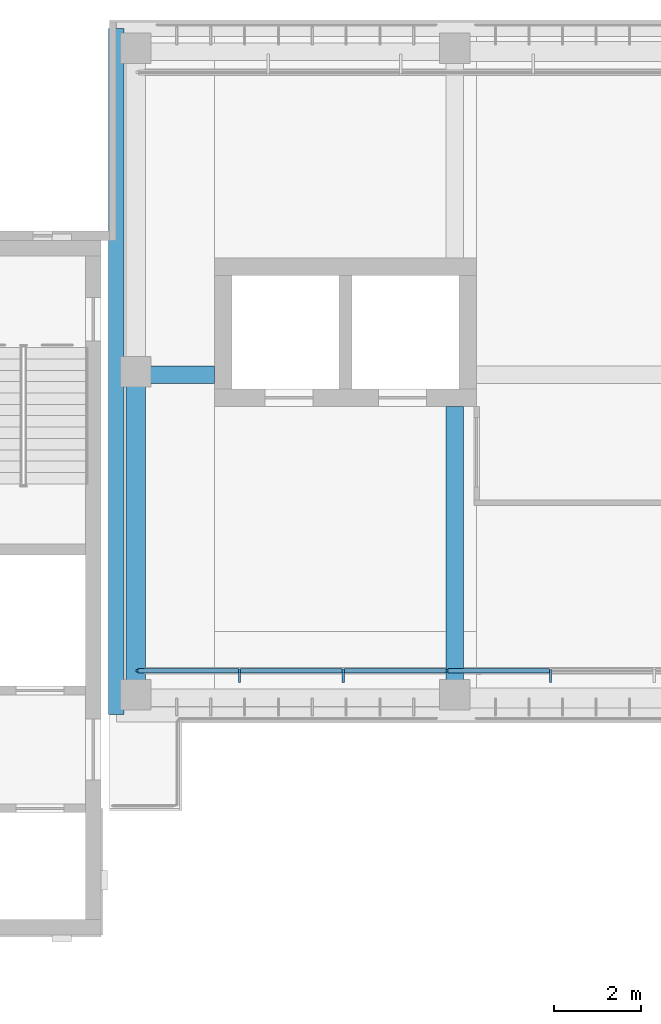
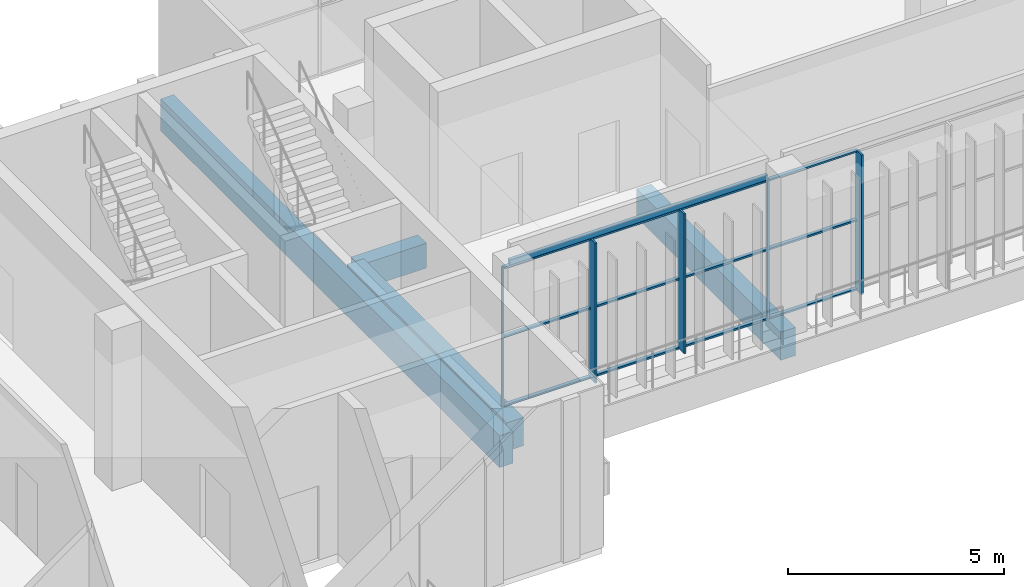
# One storey, part 19 of 73: 17 members, 5 beams, 1 element without a shape of its own.
"""IFC4 building model written with IfcOpenShell, lengths in metres."""

from ifc_helpers import new_model, si_unit, direction, frame, origin, origin_2d, place, context, subcontext, project, spatial, rectangle, hollow_rectangle, extrude, material, material_profile, profile_set, type_object, element, aggregate, save


model = new_model("IFC4")

# Units and contexts
model_context = context("Model", 3, precision=1e-05, world=origin(), true_north=direction((0.0, 1.0)))
body_context = subcontext(model_context, "Body", "Model", "MODEL_VIEW")
ifc_project = project(units=[si_unit("LENGTHUNIT", "METRE"), si_unit("AREAUNIT", "SQUARE_METRE"), si_unit("VOLUMEUNIT", "CUBIC_METRE"), si_unit("PLANEANGLEUNIT", "RADIAN"), si_unit("MASSUNIT", "GRAM", prefix="KILO")], contexts=[model_context])

# Site, building, storey
site_placement = place(None, origin())
site = spatial("IfcSite", under=ifc_project, at=site_placement, CompositionType="ELEMENT")
building_placement = place(site_placement, origin())
building = spatial("IfcBuilding", under=site, at=building_placement, Name="Lantern Court Media Centre", CompositionType="ELEMENT")
storey_placement = place(building_placement, frame((0.0, 0.0, 24.0)))
storey = spatial("IfcBuildingStorey", under=building, at=storey_placement, Name="L05", CompositionType="ELEMENT", Elevation=24.0)

# Curtain wall, members
ifc_material_1 = material(Name="Curtain wall bay 2400")
curtain_wall_type = type_object("IfcCurtainWallType", Name="Curtain wall bay 2400", PredefinedType="NOTDEFINED", material=ifc_material_1)
curtain_wall_placement = place(storey_placement, origin())
curtain_wall = element("IfcCurtainWall", 1, at=curtain_wall_placement, inside=storey, type_object=curtain_wall_type, Name="Curtain wall N inner L05", PredefinedType="NOTDEFINED")
ifc_material_2 = material(Name="Anodised aluminium", Category="aluminium")
ifc_material_profile_1 = material_profile(ifc_material_2, rectangle(XDim=0.300048828125, YDim=0.050048828125, at=origin_2d()), Name="AL 50x300")
ifc_profile_set_1 = profile_set([ifc_material_profile_1], Name="Anodised aluminium")
member_type_1 = type_object("IfcMemberType", Name="Curtain wall mullion 50x300", PredefinedType="MULLION", material=ifc_profile_set_1)
member_1_placement = place(storey_placement, frame((27.073974609375, 102.030029296875, 0.0), z_axis=(0.0, 0.0, 1.0), x_axis=(0.0, 1.0, 0.0)))
member_1 = element("IfcMember", 2, at=member_1_placement, type_object=member_type_1, Name="CW2 mullion 2", PredefinedType="MULLION", context=body_context, shape_type="SweptSolid", body=[
    extrude(rectangle(XDim=0.300048828125, YDim=0.050048828125, at=origin_2d()), origin(), (0.0, 0.0, 1.0), 3.949951171875),
])
member_2_placement = place(storey_placement, frame((29.44775390625, 102.030029296875, 0.0), z_axis=(0.0, 0.0, 1.0), x_axis=(0.0, 1.0, 0.0)))
member_2 = element("IfcMember", 3, at=member_2_placement, type_object=member_type_1, Name="CW2 mullion 3", PredefinedType="MULLION", context=body_context, shape_type="SweptSolid", body=[
    extrude(rectangle(XDim=0.300048828125, YDim=0.050048828125, at=origin_2d()), origin(), (0.0, 0.0, 1.0), 3.949951171875),
])
member_3_placement = place(storey_placement, frame((34.195556640625, 102.030029296875, 0.0), z_axis=(0.0, 0.0, 1.0), x_axis=(0.0, 1.0, 0.0)))
member_3 = element("IfcMember", 4, at=member_3_placement, type_object=member_type_1, Name="CW2 mullion 5", PredefinedType="MULLION", context=body_context, shape_type="SweptSolid", body=[
    extrude(rectangle(XDim=0.300048828125, YDim=0.050048828125, at=origin_2d()), origin(), (0.0, 0.0, 1.0), 3.949951171875),
])
ifc_material_profile_2 = material_profile(ifc_material_2, rectangle(XDim=0.06005859375, YDim=0.050048828125, at=origin_2d()), Name="AL 50x60")
ifc_profile_set_2 = profile_set([ifc_material_profile_2], Name="Anodised aluminium")
member_type_2 = type_object("IfcMemberType", Name="Curtain wall mullion 50x60", PredefinedType="MULLION", material=ifc_profile_set_2)
member_4_placement = place(storey_placement, frame((24.72509765625, 102.14990234375, 0.0), z_axis=(0.0, 0.0, 1.0), x_axis=(0.0, 1.0, 0.0)))
member_4 = element("IfcMember", 5, at=member_4_placement, type_object=member_type_2, Name="CW2 mullion 1", PredefinedType="MULLION", context=body_context, shape_type="SweptSolid", body=[
    extrude(rectangle(XDim=0.06005859375, YDim=0.050048828125, at=origin_2d()), origin(), (0.0, 0.0, 1.0), 3.949951171875),
])
member_5_placement = place(storey_placement, frame((31.82177734375, 102.14990234375, 0.0), z_axis=(0.0, 0.0, 1.0), x_axis=(0.0, 1.0, 0.0)))
member_5 = element("IfcMember", 6, at=member_5_placement, type_object=member_type_2, Name="CW2 mullion 4", PredefinedType="MULLION", context=body_context, shape_type="SweptSolid", body=[
    extrude(rectangle(XDim=0.06005859375, YDim=0.050048828125, at=origin_2d()), origin(), (0.0, 0.0, 1.0), 3.949951171875),
])
ifc_material_profile_3 = material_profile(ifc_material_2, rectangle(XDim=0.10009765625, YDim=0.050048828125, at=origin_2d()), Name="AL 50x100")
ifc_profile_set_3 = profile_set([ifc_material_profile_3], Name="Anodised aluminium")
member_type_3 = type_object("IfcMemberType", Name="Curtain wall transom 100x50", PredefinedType="USERDEFINED", material=ifc_profile_set_3)
member_6_placement = place(storey_placement, frame((24.75, 102.14990234375, 0.02490234375), z_axis=(1.0, 0.0, 0.0), x_axis=(0.0, 1.0, 0.0)))
member_6 = element("IfcMember", 7, at=member_6_placement, type_object=member_type_3, Name="CW2 transom 1.1", ObjectType="TRANSOM", PredefinedType="USERDEFINED", context=body_context, shape_type="SweptSolid", body=[
    extrude(rectangle(XDim=0.10009765625, YDim=0.050048828125, at=origin_2d()), origin(), (0.0, 0.0, 1.0), 2.298828125),
])
member_7_placement = place(storey_placement, frame((24.75, 102.14990234375, 1.97509765625), z_axis=(1.0, 0.0, 0.0), x_axis=(0.0, 1.0, 0.0)))
member_7 = element("IfcMember", 8, at=member_7_placement, type_object=member_type_3, Name="CW2 transom 1.2", ObjectType="TRANSOM", PredefinedType="USERDEFINED", context=body_context, shape_type="SweptSolid", body=[
    extrude(rectangle(XDim=0.10009765625, YDim=0.050048828125, at=origin_2d()), origin(), (0.0, 0.0, 1.0), 2.298828125),
])
member_8_placement = place(storey_placement, frame((24.75, 102.14990234375, 3.925048828125), z_axis=(1.0, 0.0, 0.0), x_axis=(0.0, 1.0, 0.0)))
member_8 = element("IfcMember", 9, at=member_8_placement, type_object=member_type_3, Name="CW2 transom 1.3", ObjectType="TRANSOM", PredefinedType="USERDEFINED", context=body_context, shape_type="SweptSolid", body=[
    extrude(rectangle(XDim=0.10009765625, YDim=0.050048828125, at=origin_2d()), origin(), (0.0, 0.0, 1.0), 2.298828125),
])
member_9_placement = place(storey_placement, frame((27.098876953125, 102.14990234375, 0.02490234375), z_axis=(1.0, 0.0, 0.0), x_axis=(0.0, 1.0, 0.0)))
member_9 = element("IfcMember", 10, at=member_9_placement, type_object=member_type_3, Name="CW2 transom 2.1", ObjectType="TRANSOM", PredefinedType="USERDEFINED", context=body_context, shape_type="SweptSolid", body=[
    extrude(rectangle(XDim=0.10009765625, YDim=0.050048828125, at=origin_2d()), origin(), (0.0, 0.0, 1.0), 2.323974609375),
])
member_10_placement = place(storey_placement, frame((27.098876953125, 102.14990234375, 1.97509765625), z_axis=(1.0, 0.0, 0.0), x_axis=(0.0, 1.0, 0.0)))
member_10 = element("IfcMember", 11, at=member_10_placement, type_object=member_type_3, Name="CW2 transom 2.2", ObjectType="TRANSOM", PredefinedType="USERDEFINED", context=body_context, shape_type="SweptSolid", body=[
    extrude(rectangle(XDim=0.10009765625, YDim=0.050048828125, at=origin_2d()), origin(), (0.0, 0.0, 1.0), 2.323974609375),
])
member_11_placement = place(storey_placement, frame((27.098876953125, 102.14990234375, 3.925048828125), z_axis=(1.0, 0.0, 0.0), x_axis=(0.0, 1.0, 0.0)))
member_11 = element("IfcMember", 12, at=member_11_placement, type_object=member_type_3, Name="CW2 transom 2.3", ObjectType="TRANSOM", PredefinedType="USERDEFINED", context=body_context, shape_type="SweptSolid", body=[
    extrude(rectangle(XDim=0.10009765625, YDim=0.050048828125, at=origin_2d()), origin(), (0.0, 0.0, 1.0), 2.323974609375),
])
member_12_placement = place(storey_placement, frame((29.472900390625, 102.14990234375, 0.02490234375), z_axis=(1.0, 0.0, 0.0), x_axis=(0.0, 1.0, 0.0)))
member_12 = element("IfcMember", 13, at=member_12_placement, type_object=member_type_3, Name="CW2 transom 3.1", ObjectType="TRANSOM", PredefinedType="USERDEFINED", context=body_context, shape_type="SweptSolid", body=[
    extrude(rectangle(XDim=0.10009765625, YDim=0.050048828125, at=origin_2d()), origin(), (0.0, 0.0, 1.0), 2.32373046875),
])
member_13_placement = place(storey_placement, frame((29.472900390625, 102.14990234375, 1.97509765625), z_axis=(1.0, 0.0, 0.0), x_axis=(0.0, 1.0, 0.0)))
member_13 = element("IfcMember", 14, at=member_13_placement, type_object=member_type_3, Name="CW2 transom 3.2", ObjectType="TRANSOM", PredefinedType="USERDEFINED", context=body_context, shape_type="SweptSolid", body=[
    extrude(rectangle(XDim=0.10009765625, YDim=0.050048828125, at=origin_2d()), origin(), (0.0, 0.0, 1.0), 2.32373046875),
])
member_14_placement = place(storey_placement, frame((29.472900390625, 102.14990234375, 3.925048828125), z_axis=(1.0, 0.0, 0.0), x_axis=(0.0, 1.0, 0.0)))
member_14 = element("IfcMember", 15, at=member_14_placement, type_object=member_type_3, Name="CW2 transom 3.3", ObjectType="TRANSOM", PredefinedType="USERDEFINED", context=body_context, shape_type="SweptSolid", body=[
    extrude(rectangle(XDim=0.10009765625, YDim=0.050048828125, at=origin_2d()), origin(), (0.0, 0.0, 1.0), 2.32373046875),
])
member_15_placement = place(storey_placement, frame((31.8466796875, 102.14990234375, 0.02490234375), z_axis=(1.0, 0.0, 0.0), x_axis=(0.0, 1.0, 0.0)))
member_15 = element("IfcMember", 16, at=member_15_placement, type_object=member_type_3, Name="CW2 transom 4.1", ObjectType="TRANSOM", PredefinedType="USERDEFINED", context=body_context, shape_type="SweptSolid", body=[
    extrude(rectangle(XDim=0.10009765625, YDim=0.050048828125, at=origin_2d()), origin(), (0.0, 0.0, 1.0), 2.323974609375),
])
member_16_placement = place(storey_placement, frame((31.8466796875, 102.14990234375, 1.97509765625), z_axis=(1.0, 0.0, 0.0), x_axis=(0.0, 1.0, 0.0)))
member_16 = element("IfcMember", 17, at=member_16_placement, type_object=member_type_3, Name="CW2 transom 4.2", ObjectType="TRANSOM", PredefinedType="USERDEFINED", context=body_context, shape_type="SweptSolid", body=[
    extrude(rectangle(XDim=0.10009765625, YDim=0.050048828125, at=origin_2d()), origin(), (0.0, 0.0, 1.0), 2.323974609375),
])
member_17_placement = place(storey_placement, frame((31.8466796875, 102.14990234375, 3.925048828125), z_axis=(1.0, 0.0, 0.0), x_axis=(0.0, 1.0, 0.0)))
member_17 = element("IfcMember", 18, at=member_17_placement, type_object=member_type_3, Name="CW2 transom 4.3", ObjectType="TRANSOM", PredefinedType="USERDEFINED", context=body_context, shape_type="SweptSolid", body=[
    extrude(rectangle(XDim=0.10009765625, YDim=0.050048828125, at=origin_2d()), origin(), (0.0, 0.0, 1.0), 2.323974609375),
])
aggregate(curtain_wall, [member_4, member_1, member_2, member_5, member_3, member_6, member_7, member_8, member_9, member_10, member_11, member_12, member_13, member_14, member_15, member_16, member_17])

# Beams
ifc_material_3 = material(Name="Steel S355J2 (EN 10025-2)", Category="steel")
ifc_material_profile_4 = material_profile(ifc_material_3, hollow_rectangle(XDim=0.10009765625, YDim=0.14990234375, WallThickness=0.00634765625, InnerFilletRadius=0.00634765625, OuterFilletRadius=0.009521484375, at=origin_2d()), Name="Facade head lintel RHS 150x100x6.3")
ifc_profile_set_4 = profile_set([ifc_material_profile_4], Name="Steel S355J2 (EN 10025-2)")
beam_type_1 = type_object("IfcBeamType", Name="Facade head lintel RHS 150x100x6.3", PredefinedType="BEAM", material=ifc_profile_set_4)
beam_1_placement = place(storey_placement, frame((24.89990234375, 102.14990234375, 4.02490234375), z_axis=(1.0, 0.0, 0.0), x_axis=(0.0, 1.0, 0.0)))
element("IfcBeam", 19, at=beam_1_placement, inside=storey, type_object=beam_type_1, Name="Facade head lintel N L05", PredefinedType="BEAM", context=body_context, shape_type="SweptSolid", body=[
    extrude(hollow_rectangle(XDim=0.10009765625, YDim=0.14990234375, WallThickness=0.00634765625, InnerFilletRadius=0.00634765625, OuterFilletRadius=0.009521484375, at=origin_2d()), origin(), (0.0, 0.0, 1.0), 6.900146484375),
])
ifc_material_4 = material(Name="Concrete C35", Category="concrete")
ifc_material_profile_5 = material_profile(ifc_material_4, rectangle(XDim=0.35009765625, YDim=0.89990234375, at=origin_2d()), Name="RC 350x900")
ifc_profile_set_5 = profile_set([ifc_material_profile_5], Name="Concrete C35")
beam_type_2 = type_object("IfcBeamType", Name="RC BEAM 350x900", PredefinedType="BEAM", material=ifc_profile_set_5)
beam_2_placement = place(storey_placement, frame((24.25, 101.14990234375, -0.449951171875), z_axis=(0.0, 1.0, 0.0), x_axis=(-1.0, 0.0, 0.0)))
element("IfcBeam", 20, at=beam_2_placement, inside=storey, type_object=beam_type_2, Name="EB-N-L05-C", PredefinedType="BEAM", context=body_context, shape_type="SweptSolid", body=[
    extrude(rectangle(XDim=0.35009765625, YDim=0.89990234375, at=origin_2d()), origin(), (0.0, 0.0, 1.0), 15.7001953125),
])
ifc_material_profile_6 = material_profile(ifc_material_4, rectangle(XDim=0.39990234375, YDim=0.699951171875, at=origin_2d()), Name="RC 400x700")
ifc_profile_set_6 = profile_set([ifc_material_profile_6], Name="Concrete C35")
beam_type_3 = type_object("IfcBeamType", Name="RC BEAM 400x700", PredefinedType="BEAM", material=ifc_profile_set_6)
beam_3_placement = place(storey_placement, frame((24.699951171875, 108.927001953125, -0.35009765625), z_axis=(1.0, 0.0, 0.0), x_axis=(0.0, 1.0, 0.0)))
element("IfcBeam", 21, at=beam_3_placement, inside=storey, type_object=beam_type_3, Name="LB-N-L05-1-0", PredefinedType="BEAM", context=body_context, shape_type="SweptSolid", body=[
    extrude(rectangle(XDim=0.39990234375, YDim=0.699951171875, at=origin_2d()), origin(), (0.0, 0.0, 1.0), 1.800048828125),
])
ifc_material_profile_7 = material_profile(ifc_material_4, rectangle(XDim=0.39990234375, YDim=0.800048828125, at=origin_2d()), Name="RC 400x800")
ifc_profile_set_7 = profile_set([ifc_material_profile_7], Name="Concrete C35")
beam_type_4 = type_object("IfcBeamType", Name="RC BEAM 400x800", PredefinedType="BEAM", material=ifc_profile_set_7)
beam_4_placement = place(storey_placement, frame((32.0, 101.5166015625, -0.39990234375), z_axis=(0.0, 1.0, 0.0), x_axis=(-1.0, 0.0, 0.0)))
element("IfcBeam", 22, at=beam_4_placement, inside=storey, type_object=beam_type_4, Name="TB-N-L05-1-1", PredefinedType="BEAM", context=body_context, shape_type="SweptSolid", body=[
    extrude(rectangle(XDim=0.39990234375, YDim=0.800048828125, at=origin_2d()), origin(), (0.0, 0.0, 1.0), 6.683349609375),
])
ifc_material_profile_8 = material_profile(ifc_material_4, rectangle(XDim=0.449951171875, YDim=0.800048828125, at=origin_2d()), Name="RC 450x800")
ifc_profile_set_8 = profile_set([ifc_material_profile_8], Name="Concrete C35")
beam_type_5 = type_object("IfcBeamType", Name="RC BEAM 450x800", PredefinedType="BEAM", material=ifc_profile_set_8)
beam_5_placement = place(storey_placement, frame((24.699951171875, 101.5166015625, -0.39990234375), z_axis=(0.0, 1.0, 0.0), x_axis=(-1.0, 0.0, 0.0)))
element("IfcBeam", 23, at=beam_5_placement, inside=storey, type_object=beam_type_5, Name="TB-N-L05-0-1", PredefinedType="BEAM", context=body_context, shape_type="SweptSolid", body=[
    extrude(rectangle(XDim=0.449951171875, YDim=0.800048828125, at=origin_2d()), origin(), (0.0, 0.0, 1.0), 7.400146484375),
])

save(model, "model.ifc")
